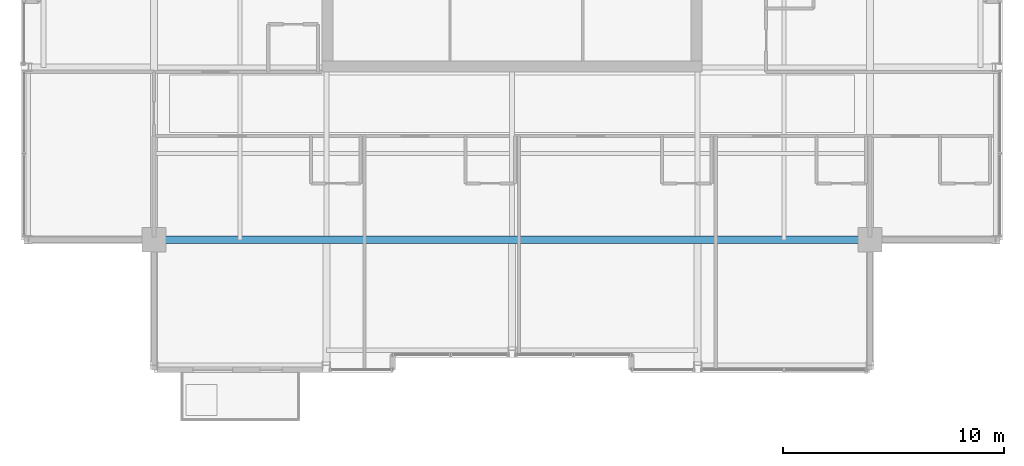
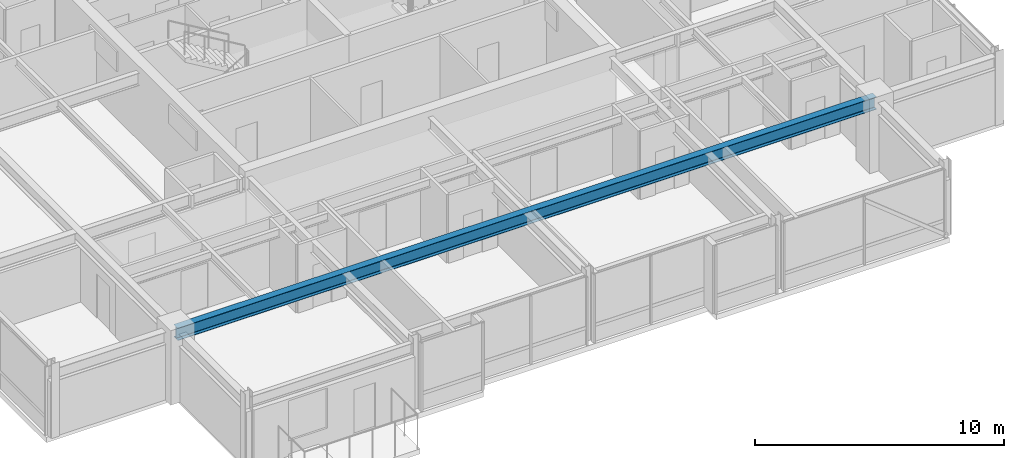
# One storey, part 8 of 34: 1 beam.
"""IFC4 building model written with IfcOpenShell, lengths in metres."""

import ifcopenshell
import ifcopenshell.guid

model = None  # the IFC model being written
_history = None  # IfcOwnerHistory: only IFC2X3 demands one
_inside = {}  # id of a spatial element -> (the spatial element, [elements in it])
_under = {}  # id of a project, library or spatial element -> (it, [spatial elements below it])
_declared = {}  # id of a project -> (the project, [libraries it declares])
_typed = {}  # id of a type object -> (the type object, [elements of that type])
_made_of = {}  # id of a material, layer set ... -> (it, [elements and type objects made of it])


def new_model(schema):
    """Start an empty IFC model of exactly this schema.

    Asked for "IFC4X3", IfcOpenShell would pick the latest addendum, in which some entities
    have other attributes; the version numbers below select the first issue.
    IFC2X3 requires an IfcOwnerHistory on every rooted entity: one is made here for all.
    """
    global model, _history
    if schema == "IFC4X3":
        model = ifcopenshell.file(schema_version=(4, 3, 0, 0))
    else:
        model = ifcopenshell.file(schema=schema)
    _inside.clear()
    _under.clear()
    _declared.clear()
    _typed.clear()
    _made_of.clear()
    _history = None
    if model.schema == "IFC2X3":
        org = make("IfcOrganization", Name="unknown")
        user = make(
            "IfcPersonAndOrganization",
            ThePerson=make("IfcPerson", FamilyName="unknown"),
            TheOrganization=org,
        )
        app = make(
            "IfcApplication",
            ApplicationDeveloper=org,
            Version="unknown",
            ApplicationFullName="unknown",
            ApplicationIdentifier="unknown",
        )
        _history = make(
            "IfcOwnerHistory",
            OwningUser=user,
            OwningApplication=app,
            ChangeAction="ADDED",
            CreationDate=0,
        )
    return model


def make(cls, **values):
    """One entity of the class cls with the attributes given. An attribute that is None is left unset."""
    return model.create_entity(
        cls, **{name: value for name, value in values.items() if value is not None}
    )


def rooted(cls, **values):
    """An entity with a GlobalId (a new one), such as an element, a storey or a relation."""
    return make(cls, GlobalId=ifcopenshell.guid.new(), OwnerHistory=_history, **values)


def si_unit(unit_type, name, prefix=None):
    """IfcSIUnit, for example si_unit("LENGTHUNIT", "METRE", prefix="MILLI")."""
    return make("IfcSIUnit", UnitType=unit_type, Prefix=prefix, Name=name)


def assignment(units):
    """IfcUnitAssignment: the units of a project."""
    return None if units is None else make("IfcUnitAssignment", Units=units)


def point(xyz):
    """IfcCartesianPoint."""
    return None if xyz is None else make("IfcCartesianPoint", Coordinates=xyz)


def direction(xyz):
    """IfcDirection."""
    return None if xyz is None else make("IfcDirection", DirectionRatios=xyz)


def frame(location, z_axis=None, x_axis=None):
    """IfcAxis2Placement3D, a coordinate frame: its origin and axes. An axis left out is left unset."""
    return make(
        "IfcAxis2Placement3D",
        Location=point(location),
        Axis=direction(z_axis),
        RefDirection=direction(x_axis),
    )


def frame_2d(location, x_axis=None):
    """IfcAxis2Placement2D, a coordinate frame in the plane: its origin and x axis."""
    return make(
        "IfcAxis2Placement2D", Location=point(location), RefDirection=direction(x_axis)
    )


def origin():
    """The frame at (0, 0, 0) with its axes left unset."""
    return frame((0.0, 0.0, 0.0))


def origin_2d():
    """The frame at (0, 0) in the plane with its x axis left unset."""
    return frame_2d((0.0, 0.0))


def place(relative_to, where):
    """IfcLocalPlacement: puts the frame where relative to a parent placement (None: the world)."""
    return make(
        "IfcLocalPlacement", PlacementRelTo=relative_to, RelativePlacement=where
    )


def context(
    kind, dimensions, precision=None, world=None, true_north=None, identifier=None
):
    """IfcGeometricRepresentationContext, for example the 3D "Model" context."""
    return make(
        "IfcGeometricRepresentationContext",
        ContextIdentifier=identifier,
        ContextType=kind,
        CoordinateSpaceDimension=dimensions,
        Precision=precision,
        WorldCoordinateSystem=world,
        TrueNorth=true_north,
    )


def subcontext(parent, identifier, kind, view, scale=None):
    """IfcGeometricRepresentationSubContext, for example "Body" below "Model"."""
    return make(
        "IfcGeometricRepresentationSubContext",
        ContextIdentifier=identifier,
        ContextType=kind,
        ParentContext=parent,
        TargetScale=scale,
        TargetView=view,
    )


def project(units=None, contexts=None):
    """IfcProject with its units and contexts."""
    return rooted(
        "IfcProject",
        Name="project",
        RepresentationContexts=contexts,
        UnitsInContext=assignment(units),
    )


def spatial(cls, under=None, at=None, **own):
    """A site, building, storey or space (cls), placed at a placement, below another one or the project."""
    s = rooted(cls, ObjectPlacement=at, **own)
    if under is not None:
        _under.setdefault(under.id(), (under, []))[1].append(s)
    return s


def profile(cls, at=None, kind="AREA", **sizes):
    """A parametric profile (cls). Its sizes go by their IFC names, for example OverallWidth=200.0."""
    return make(cls, ProfileType=kind, Position=at, **sizes)


def i_section(**sizes):
    """IfcIShapeProfileDef."""
    return profile("IfcIShapeProfileDef", **sizes)


def extrude(swept, where, along, depth):
    """IfcExtrudedAreaSolid: the profile swept, set in the frame where, extruded along a direction by depth."""
    return make(
        "IfcExtrudedAreaSolid",
        SweptArea=swept,
        Position=where,
        ExtrudedDirection=direction(along),
        Depth=depth,
    )


def shape(context_of_items, identifier, shape_type, items):
    """IfcShapeRepresentation: the items that make up one representation, for example the "Body"."""
    return make(
        "IfcShapeRepresentation",
        ContextOfItems=context_of_items,
        RepresentationIdentifier=identifier,
        RepresentationType=shape_type,
        Items=items,
    )


def material(Name=None, Category=None):
    """IfcMaterial."""
    return make("IfcMaterial", Name=Name, Category=Category)


def material_profile(
    of_material, cross_section, Name=None, Category=None, Priority=None
):
    """IfcMaterialProfile: a cross section and its material."""
    return make(
        "IfcMaterialProfile",
        Name=Name,
        Material=of_material,
        Profile=cross_section,
        Priority=Priority,
        Category=Category,
    )


def profile_set(profiles, Name=None, composite=None):
    """IfcMaterialProfileSet."""
    return make(
        "IfcMaterialProfileSet",
        Name=Name,
        MaterialProfiles=profiles,
        CompositeProfile=composite,
    )


def made_of(thing, what):
    """Note that an element or type object is made of a material, layer set ...; save() writes the relation."""
    if what is not None:
        _made_of.setdefault(what.id(), (what, []))[1].append(thing)
    return thing


def type_object(cls, material=None, **own):
    """A type object (cls), such as IfcWallType, which elements share."""
    return made_of(rooted(cls, **own), material)


def element(
    cls,
    number,
    at=None,
    inside=None,
    cuts=None,
    type_object=None,
    material=None,
    context=None,
    identifier="Body",
    shape_type=None,
    held_by="IfcProductDefinitionShape",
    body=None,
    shapes=None,
    **own,
):
    """One element of the class cls, such as IfcWall. Its Tag is "e" and its number.

    at: its placement. inside: the storey or other place that contains it. cuts: it is an
    opening in that element (IfcRelVoidsElement). A single representation is given by context,
    identifier, shape_type and body (its items); several are given by shapes. held_by: the class
    of the entity that holds the representations. save() writes the other relations.
    """
    e = rooted(cls, Tag="e%d" % number, ObjectPlacement=at, **own)
    if body is not None:
        shapes = [shape(context, identifier, shape_type, body)]
    if shapes is not None:
        e.Representation = make(held_by, Representations=shapes)
    if inside is not None:
        _inside.setdefault(inside.id(), (inside, []))[1].append(e)
    if cuts is not None:
        rooted(
            "IfcRelVoidsElement", RelatingBuildingElement=cuts, RelatedOpeningElement=e
        )
    if type_object is not None:
        _typed.setdefault(type_object.id(), (type_object, []))[1].append(e)
    return made_of(e, material)


def aggregate(whole, parts):
    """IfcRelAggregates: a whole, such as a stair, and the parts it consists of."""
    return rooted("IfcRelAggregates", RelatingObject=whole, RelatedObjects=parts)


def save(model, path):
    """Write the relations noted so far, then the file.

    IfcRelAggregates (storeys below a building ...), IfcRelContainedInSpatialStructure (elements
    in a storey), IfcRelDefinesByType, IfcRelAssociatesMaterial and IfcRelDeclares: one each for
    every whole, place, type object, material and project.
    """
    for whole, parts in _under.values():
        aggregate(whole, parts)
    for where, things in _inside.values():
        rooted(
            "IfcRelContainedInSpatialStructure",
            RelatedElements=things,
            RelatingStructure=where,
        )
    for kind, things in _typed.values():
        rooted("IfcRelDefinesByType", RelatedObjects=things, RelatingType=kind)
    for what, things in _made_of.values():
        rooted("IfcRelAssociatesMaterial", RelatedObjects=things, RelatingMaterial=what)
    for by, libraries in _declared.values():
        rooted("IfcRelDeclares", RelatingContext=by, RelatedDefinitions=libraries)
    model.write(path)


model = new_model("IFC4")

# Units and contexts
model_context = context("Model", 3, precision=1e-05, world=origin(), true_north=direction((0.0, 1.0)))
body_context = subcontext(model_context, "Body", "Model", "MODEL_VIEW")
ifc_project = project(units=[si_unit("LENGTHUNIT", "METRE"), si_unit("AREAUNIT", "SQUARE_METRE"), si_unit("VOLUMEUNIT", "CUBIC_METRE"), si_unit("PLANEANGLEUNIT", "RADIAN"), si_unit("MASSUNIT", "GRAM", prefix="KILO")], contexts=[model_context])

# Site, building, storey
site_placement = place(None, origin())
site = spatial("IfcSite", under=ifc_project, at=site_placement, CompositionType="ELEMENT")
building_placement = place(site_placement, origin())
building = spatial("IfcBuilding", under=site, at=building_placement, Name="Drelvath Grand Hotel", CompositionType="ELEMENT")
storey_placement = place(building_placement, frame((0.0, 0.0, 290.550048828125)))
storey = spatial("IfcBuildingStorey", under=building, at=storey_placement, Name="L76", CompositionType="ELEMENT", Elevation=290.550048828125)

# Beam
ifc_material = material(Name="Steel ASTM A992 Gr 50", Category="steel")
ifc_material_profile = material_profile(ifc_material, i_section(OverallWidth=0.323974609375, OverallDepth=0.611083984375, WebThickness=0.0126953125, FlangeThickness=0.01904296875, FilletRadius=0.02197265625, at=origin_2d()), Name="W24X104")
ifc_profile_set = profile_set([ifc_material_profile], Name="Steel ASTM A992 Gr 50")
beam_type = type_object("IfcBeamType", Name="Primary Floor Girder W24X104", PredefinedType="BEAM", material=ifc_profile_set)
beam_placement = place(storey_placement, frame((-16.199951171875, 10.800048828125, 3.04443359375), z_axis=(1.0, 0.0, 0.0), x_axis=(0.0, 1.0, 0.0)))
element("IfcBeam", 1, at=beam_placement, inside=storey, type_object=beam_type, Name="L76 Mega Ring Girder South", PredefinedType="BEAM", context=body_context, shape_type="SweptSolid", body=[
    extrude(i_section(OverallWidth=0.323974609375, OverallDepth=0.611083984375, WebThickness=0.0126953125, FlangeThickness=0.01904296875, FilletRadius=0.02197265625, at=origin_2d()), origin(), (0.0, 0.0, 1.0), 32.39990234375),
])

save(model, "model.ifc")
